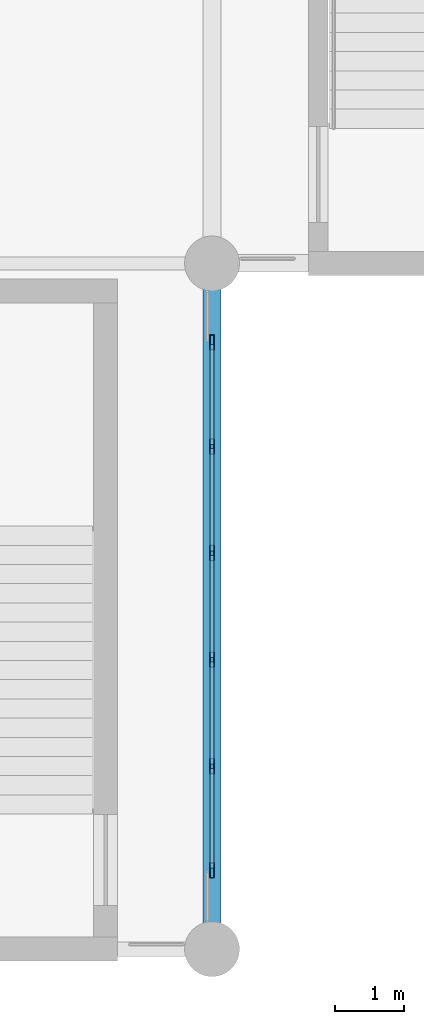
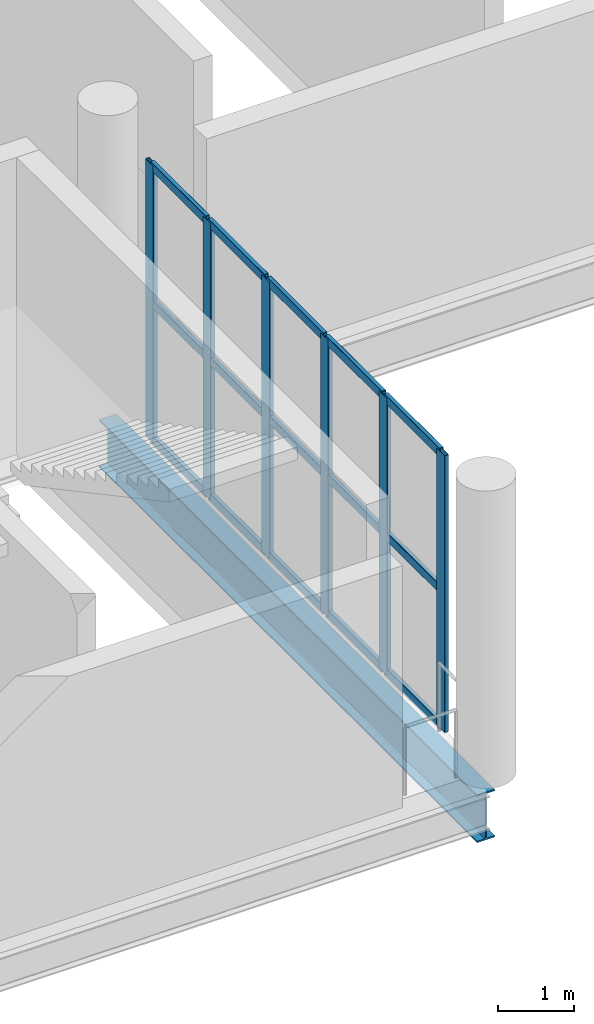
# One storey, part 56 of 136: 21 members, 1 beam, 1 element without a shape of its own.
"""IFC4 building model written with IfcOpenShell, lengths in metres."""

from ifc_helpers import new_model, si_unit, direction, frame, origin, origin_2d, place, context, subcontext, project, spatial, hollow_rectangle, i_section, extrude, material, layer, layer_set, material_profile, profile_set, type_object, element, aggregate, save


model = new_model("IFC4")

# Units and contexts
model_context = context("Model", 3, precision=1e-05, world=origin(), true_north=direction((0.0, 1.0)))
body_context = subcontext(model_context, "Body", "Model", "MODEL_VIEW")
ifc_project = project(units=[si_unit("LENGTHUNIT", "METRE"), si_unit("AREAUNIT", "SQUARE_METRE"), si_unit("VOLUMEUNIT", "CUBIC_METRE"), si_unit("PLANEANGLEUNIT", "RADIAN"), si_unit("MASSUNIT", "GRAM", prefix="KILO")], contexts=[model_context])

# Site, building, storey
site_placement = place(None, origin())
site = spatial("IfcSite", under=ifc_project, at=site_placement, CompositionType="ELEMENT")
building_placement = place(site_placement, origin())
building = spatial("IfcBuilding", under=site, at=building_placement, Name="Brinegate Civic Arena", CompositionType="ELEMENT")
storey_placement = place(building_placement, frame((0.0, 0.0, 5.39990234375)))
storey = spatial("IfcBuildingStorey", under=building, at=storey_placement, Name="L01", CompositionType="ELEMENT", Elevation=5.39990234375)

# Curtain wall, members
ifc_material_1 = material(Name="Marine grade aluminium", Category="aluminium")
ifc_layer = layer(ifc_material_1, 0.25, Name="Marine grade aluminium")
ifc_layer_set = layer_set([ifc_layer], Name="Marine grade aluminium")
curtain_wall_type = type_object("IfcCurtainWallType", Name="CW-PORTAL-SOUTH-02", PredefinedType="USERDEFINED", material=ifc_layer_set)
curtain_wall_placement = place(storey_placement, origin())
curtain_wall = element("IfcCurtainWall", 1, at=curtain_wall_placement, inside=storey, type_object=curtain_wall_type, Name="Curtain Wall CWA-071", ObjectType="PORTAL CURTAIN WALL", PredefinedType="USERDEFINED")
ifc_material_profile_1 = material_profile(ifc_material_1, hollow_rectangle(XDim=0.06494140625, YDim=0.219970703125, WallThickness=0.006103515625, InnerFilletRadius=0.00390625, OuterFilletRadius=0.008056640625, at=origin_2d()), Name="MUL65X220")
ifc_profile_set_1 = profile_set([ifc_material_profile_1], Name="Marine grade aluminium")
member_type_1 = type_object("IfcMemberType", Name="CW-MULLION-65X220", PredefinedType="MULLION", material=ifc_profile_set_1)
member_1_placement = place(storey_placement, frame((132.0, 1.1484375, 0.0), z_axis=(0.0, 0.0, 1.0), x_axis=(-1.0, 0.0, 0.0)))
member_1 = element("IfcMember", 2, at=member_1_placement, type_object=member_type_1, Name="CWA-071 mullion 1", PredefinedType="MULLION", context=body_context, shape_type="SweptSolid", body=[
    extrude(hollow_rectangle(XDim=0.06494140625, YDim=0.219970703125, WallThickness=0.006103515625, InnerFilletRadius=0.00390625, OuterFilletRadius=0.008056640625, at=origin_2d()), origin(), (0.0, 0.0, 1.0), 4.47021484375),
])
member_2_placement = place(storey_placement, frame((132.0, 2.669677734375, 0.0), z_axis=(0.0, 0.0, 1.0), x_axis=(-1.0, 0.0, 0.0)))
member_2 = element("IfcMember", 3, at=member_2_placement, type_object=member_type_1, Name="CWA-071 mullion 2", PredefinedType="MULLION", context=body_context, shape_type="SweptSolid", body=[
    extrude(hollow_rectangle(XDim=0.06494140625, YDim=0.219970703125, WallThickness=0.006103515625, InnerFilletRadius=0.00390625, OuterFilletRadius=0.008056640625, at=origin_2d()), origin(), (0.0, 0.0, 1.0), 4.47021484375),
])
member_3_placement = place(storey_placement, frame((132.0, 4.22314453125, 0.0), z_axis=(0.0, 0.0, 1.0), x_axis=(-1.0, 0.0, 0.0)))
member_3 = element("IfcMember", 4, at=member_3_placement, type_object=member_type_1, Name="CWA-071 mullion 3", PredefinedType="MULLION", context=body_context, shape_type="SweptSolid", body=[
    extrude(hollow_rectangle(XDim=0.06494140625, YDim=0.219970703125, WallThickness=0.006103515625, InnerFilletRadius=0.00390625, OuterFilletRadius=0.008056640625, at=origin_2d()), origin(), (0.0, 0.0, 1.0), 4.47021484375),
])
member_4_placement = place(storey_placement, frame((132.0, 5.77685546875, 0.0), z_axis=(0.0, 0.0, 1.0), x_axis=(-1.0, 0.0, 0.0)))
member_4 = element("IfcMember", 5, at=member_4_placement, type_object=member_type_1, Name="CWA-071 mullion 4", PredefinedType="MULLION", context=body_context, shape_type="SweptSolid", body=[
    extrude(hollow_rectangle(XDim=0.06494140625, YDim=0.219970703125, WallThickness=0.006103515625, InnerFilletRadius=0.00390625, OuterFilletRadius=0.008056640625, at=origin_2d()), origin(), (0.0, 0.0, 1.0), 4.47021484375),
])
member_5_placement = place(storey_placement, frame((132.0, 7.330322265625, 0.0), z_axis=(0.0, 0.0, 1.0), x_axis=(-1.0, 0.0, 0.0)))
member_5 = element("IfcMember", 6, at=member_5_placement, type_object=member_type_1, Name="CWA-071 mullion 5", PredefinedType="MULLION", context=body_context, shape_type="SweptSolid", body=[
    extrude(hollow_rectangle(XDim=0.06494140625, YDim=0.219970703125, WallThickness=0.006103515625, InnerFilletRadius=0.00390625, OuterFilletRadius=0.008056640625, at=origin_2d()), origin(), (0.0, 0.0, 1.0), 4.47021484375),
])
member_6_placement = place(storey_placement, frame((132.0, 8.8515625, 0.0), z_axis=(0.0, 0.0, 1.0), x_axis=(-1.0, 0.0, 0.0)))
member_6 = element("IfcMember", 7, at=member_6_placement, type_object=member_type_1, Name="CWA-071 mullion 6", PredefinedType="MULLION", context=body_context, shape_type="SweptSolid", body=[
    extrude(hollow_rectangle(XDim=0.06494140625, YDim=0.219970703125, WallThickness=0.006103515625, InnerFilletRadius=0.00390625, OuterFilletRadius=0.008056640625, at=origin_2d()), origin(), (0.0, 0.0, 1.0), 4.47021484375),
])
ifc_material_profile_2 = material_profile(ifc_material_1, hollow_rectangle(XDim=0.06494140625, YDim=0.139892578125, WallThickness=0.0048828125, InnerFilletRadius=0.00390625, OuterFilletRadius=0.008056640625, at=origin_2d()), Name="TRN65X140")
ifc_profile_set_2 = profile_set([ifc_material_profile_2], Name="Marine grade aluminium")
member_type_2 = type_object("IfcMemberType", Name="CW-TRANSOM-65X140", PredefinedType="USERDEFINED", material=ifc_profile_set_2)
member_7_placement = place(storey_placement, frame((132.0, 1.180908203125, 0.03271484375), z_axis=(0.0, 1.0, 0.0), x_axis=(-1.0, 0.0, 0.0)))
member_7 = element("IfcMember", 8, at=member_7_placement, type_object=member_type_2, Name="CWA-071 transom 1.1", ObjectType="TRANSOM", PredefinedType="USERDEFINED", context=body_context, shape_type="SweptSolid", body=[
    extrude(hollow_rectangle(XDim=0.06494140625, YDim=0.139892578125, WallThickness=0.0048828125, InnerFilletRadius=0.00390625, OuterFilletRadius=0.008056640625, at=origin_2d()), origin(), (0.0, 0.0, 1.0), 1.456298828125),
])
member_8_placement = place(storey_placement, frame((132.0, 1.180908203125, 2.235107421875), z_axis=(0.0, 1.0, 0.0), x_axis=(-1.0, 0.0, 0.0)))
member_8 = element("IfcMember", 9, at=member_8_placement, type_object=member_type_2, Name="CWA-071 transom 1.2", ObjectType="TRANSOM", PredefinedType="USERDEFINED", context=body_context, shape_type="SweptSolid", body=[
    extrude(hollow_rectangle(XDim=0.06494140625, YDim=0.139892578125, WallThickness=0.0048828125, InnerFilletRadius=0.00390625, OuterFilletRadius=0.008056640625, at=origin_2d()), origin(), (0.0, 0.0, 1.0), 1.456298828125),
])
member_9_placement = place(storey_placement, frame((132.0, 1.180908203125, 4.4375), z_axis=(0.0, 1.0, 0.0), x_axis=(-1.0, 0.0, 0.0)))
member_9 = element("IfcMember", 10, at=member_9_placement, type_object=member_type_2, Name="CWA-071 transom 1.3", ObjectType="TRANSOM", PredefinedType="USERDEFINED", context=body_context, shape_type="SweptSolid", body=[
    extrude(hollow_rectangle(XDim=0.06494140625, YDim=0.139892578125, WallThickness=0.0048828125, InnerFilletRadius=0.00390625, OuterFilletRadius=0.008056640625, at=origin_2d()), origin(), (0.0, 0.0, 1.0), 1.456298828125),
])
member_10_placement = place(storey_placement, frame((132.0, 2.7021484375, 0.03271484375), z_axis=(0.0, 1.0, 0.0), x_axis=(-1.0, 0.0, 0.0)))
member_10 = element("IfcMember", 11, at=member_10_placement, type_object=member_type_2, Name="CWA-071 transom 2.1", ObjectType="TRANSOM", PredefinedType="USERDEFINED", context=body_context, shape_type="SweptSolid", body=[
    extrude(hollow_rectangle(XDim=0.06494140625, YDim=0.139892578125, WallThickness=0.0048828125, InnerFilletRadius=0.00390625, OuterFilletRadius=0.008056640625, at=origin_2d()), origin(), (0.0, 0.0, 1.0), 1.488525390625),
])
member_11_placement = place(storey_placement, frame((132.0, 2.7021484375, 2.235107421875), z_axis=(0.0, 1.0, 0.0), x_axis=(-1.0, 0.0, 0.0)))
member_11 = element("IfcMember", 12, at=member_11_placement, type_object=member_type_2, Name="CWA-071 transom 2.2", ObjectType="TRANSOM", PredefinedType="USERDEFINED", context=body_context, shape_type="SweptSolid", body=[
    extrude(hollow_rectangle(XDim=0.06494140625, YDim=0.139892578125, WallThickness=0.0048828125, InnerFilletRadius=0.00390625, OuterFilletRadius=0.008056640625, at=origin_2d()), origin(), (0.0, 0.0, 1.0), 1.488525390625),
])
member_12_placement = place(storey_placement, frame((132.0, 2.7021484375, 4.4375), z_axis=(0.0, 1.0, 0.0), x_axis=(-1.0, 0.0, 0.0)))
member_12 = element("IfcMember", 13, at=member_12_placement, type_object=member_type_2, Name="CWA-071 transom 2.3", ObjectType="TRANSOM", PredefinedType="USERDEFINED", context=body_context, shape_type="SweptSolid", body=[
    extrude(hollow_rectangle(XDim=0.06494140625, YDim=0.139892578125, WallThickness=0.0048828125, InnerFilletRadius=0.00390625, OuterFilletRadius=0.008056640625, at=origin_2d()), origin(), (0.0, 0.0, 1.0), 1.488525390625),
])
member_13_placement = place(storey_placement, frame((132.0, 4.255615234375, 0.03271484375), z_axis=(0.0, 1.0, 0.0), x_axis=(-1.0, 0.0, 0.0)))
member_13 = element("IfcMember", 14, at=member_13_placement, type_object=member_type_2, Name="CWA-071 transom 3.1", ObjectType="TRANSOM", PredefinedType="USERDEFINED", context=body_context, shape_type="SweptSolid", body=[
    extrude(hollow_rectangle(XDim=0.06494140625, YDim=0.139892578125, WallThickness=0.0048828125, InnerFilletRadius=0.00390625, OuterFilletRadius=0.008056640625, at=origin_2d()), origin(), (0.0, 0.0, 1.0), 1.48876953125),
])
member_14_placement = place(storey_placement, frame((132.0, 4.255615234375, 2.235107421875), z_axis=(0.0, 1.0, 0.0), x_axis=(-1.0, 0.0, 0.0)))
member_14 = element("IfcMember", 15, at=member_14_placement, type_object=member_type_2, Name="CWA-071 transom 3.2", ObjectType="TRANSOM", PredefinedType="USERDEFINED", context=body_context, shape_type="SweptSolid", body=[
    extrude(hollow_rectangle(XDim=0.06494140625, YDim=0.139892578125, WallThickness=0.0048828125, InnerFilletRadius=0.00390625, OuterFilletRadius=0.008056640625, at=origin_2d()), origin(), (0.0, 0.0, 1.0), 1.48876953125),
])
member_15_placement = place(storey_placement, frame((132.0, 4.255615234375, 4.4375), z_axis=(0.0, 1.0, 0.0), x_axis=(-1.0, 0.0, 0.0)))
member_15 = element("IfcMember", 16, at=member_15_placement, type_object=member_type_2, Name="CWA-071 transom 3.3", ObjectType="TRANSOM", PredefinedType="USERDEFINED", context=body_context, shape_type="SweptSolid", body=[
    extrude(hollow_rectangle(XDim=0.06494140625, YDim=0.139892578125, WallThickness=0.0048828125, InnerFilletRadius=0.00390625, OuterFilletRadius=0.008056640625, at=origin_2d()), origin(), (0.0, 0.0, 1.0), 1.48876953125),
])
member_16_placement = place(storey_placement, frame((132.0, 5.809326171875, 0.03271484375), z_axis=(0.0, 1.0, 0.0), x_axis=(-1.0, 0.0, 0.0)))
member_16 = element("IfcMember", 17, at=member_16_placement, type_object=member_type_2, Name="CWA-071 transom 4.1", ObjectType="TRANSOM", PredefinedType="USERDEFINED", context=body_context, shape_type="SweptSolid", body=[
    extrude(hollow_rectangle(XDim=0.06494140625, YDim=0.139892578125, WallThickness=0.0048828125, InnerFilletRadius=0.00390625, OuterFilletRadius=0.008056640625, at=origin_2d()), origin(), (0.0, 0.0, 1.0), 1.488525390625),
])
member_17_placement = place(storey_placement, frame((132.0, 5.809326171875, 2.235107421875), z_axis=(0.0, 1.0, 0.0), x_axis=(-1.0, 0.0, 0.0)))
member_17 = element("IfcMember", 18, at=member_17_placement, type_object=member_type_2, Name="CWA-071 transom 4.2", ObjectType="TRANSOM", PredefinedType="USERDEFINED", context=body_context, shape_type="SweptSolid", body=[
    extrude(hollow_rectangle(XDim=0.06494140625, YDim=0.139892578125, WallThickness=0.0048828125, InnerFilletRadius=0.00390625, OuterFilletRadius=0.008056640625, at=origin_2d()), origin(), (0.0, 0.0, 1.0), 1.488525390625),
])
member_18_placement = place(storey_placement, frame((132.0, 5.809326171875, 4.4375), z_axis=(0.0, 1.0, 0.0), x_axis=(-1.0, 0.0, 0.0)))
member_18 = element("IfcMember", 19, at=member_18_placement, type_object=member_type_2, Name="CWA-071 transom 4.3", ObjectType="TRANSOM", PredefinedType="USERDEFINED", context=body_context, shape_type="SweptSolid", body=[
    extrude(hollow_rectangle(XDim=0.06494140625, YDim=0.139892578125, WallThickness=0.0048828125, InnerFilletRadius=0.00390625, OuterFilletRadius=0.008056640625, at=origin_2d()), origin(), (0.0, 0.0, 1.0), 1.488525390625),
])
member_19_placement = place(storey_placement, frame((132.0, 7.36279296875, 0.03271484375), z_axis=(0.0, 1.0, 0.0), x_axis=(-1.0, 0.0, 0.0)))
member_19 = element("IfcMember", 20, at=member_19_placement, type_object=member_type_2, Name="CWA-071 transom 5.1", ObjectType="TRANSOM", PredefinedType="USERDEFINED", context=body_context, shape_type="SweptSolid", body=[
    extrude(hollow_rectangle(XDim=0.06494140625, YDim=0.139892578125, WallThickness=0.0048828125, InnerFilletRadius=0.00390625, OuterFilletRadius=0.008056640625, at=origin_2d()), origin(), (0.0, 0.0, 1.0), 1.456298828125),
])
member_20_placement = place(storey_placement, frame((132.0, 7.36279296875, 2.235107421875), z_axis=(0.0, 1.0, 0.0), x_axis=(-1.0, 0.0, 0.0)))
member_20 = element("IfcMember", 21, at=member_20_placement, type_object=member_type_2, Name="CWA-071 transom 5.2", ObjectType="TRANSOM", PredefinedType="USERDEFINED", context=body_context, shape_type="SweptSolid", body=[
    extrude(hollow_rectangle(XDim=0.06494140625, YDim=0.139892578125, WallThickness=0.0048828125, InnerFilletRadius=0.00390625, OuterFilletRadius=0.008056640625, at=origin_2d()), origin(), (0.0, 0.0, 1.0), 1.456298828125),
])
member_21_placement = place(storey_placement, frame((132.0, 7.36279296875, 4.4375), z_axis=(0.0, 1.0, 0.0), x_axis=(-1.0, 0.0, 0.0)))
member_21 = element("IfcMember", 22, at=member_21_placement, type_object=member_type_2, Name="CWA-071 transom 5.3", ObjectType="TRANSOM", PredefinedType="USERDEFINED", context=body_context, shape_type="SweptSolid", body=[
    extrude(hollow_rectangle(XDim=0.06494140625, YDim=0.139892578125, WallThickness=0.0048828125, InnerFilletRadius=0.00390625, OuterFilletRadius=0.008056640625, at=origin_2d()), origin(), (0.0, 0.0, 1.0), 1.456298828125),
])
aggregate(curtain_wall, [member_1, member_2, member_3, member_4, member_5, member_6, member_7, member_8, member_9, member_10, member_11, member_12, member_13, member_14, member_15, member_16, member_17, member_18, member_19, member_20, member_21])

# Beam
ifc_material_2 = material(Name="Steel S355", Category="steel")
ifc_material_profile_3 = material_profile(ifc_material_2, i_section(OverallWidth=0.26806640625, OverallDepth=0.77001953125, WebThickness=0.01611328125, FlangeThickness=0.02490234375, FilletRadius=0.02001953125, at=origin_2d()), Name="W760X196")
ifc_profile_set_3 = profile_set([ifc_material_profile_3], Name="Steel S355")
beam_type = type_object("IfcBeamType", Name="GIRDER-W760X196", PredefinedType="BEAM", material=ifc_profile_set_3)
beam_placement = place(storey_placement, frame((132.0, 0.0, -0.724853515625), z_axis=(0.0, 1.0, 0.0), x_axis=(-1.0, 0.0, 0.0)))
element("IfcBeam", 23, at=beam_placement, inside=storey, type_object=beam_type, Name="Floor Girder BM-L01-GY-11-00", PredefinedType="BEAM", context=body_context, shape_type="SweptSolid", body=[
    extrude(i_section(OverallWidth=0.26806640625, OverallDepth=0.77001953125, WebThickness=0.01611328125, FlangeThickness=0.02490234375, FilletRadius=0.02001953125, at=origin_2d()), origin(), (0.0, 0.0, 1.0), 10.0),
])

save(model, "model.ifc")
